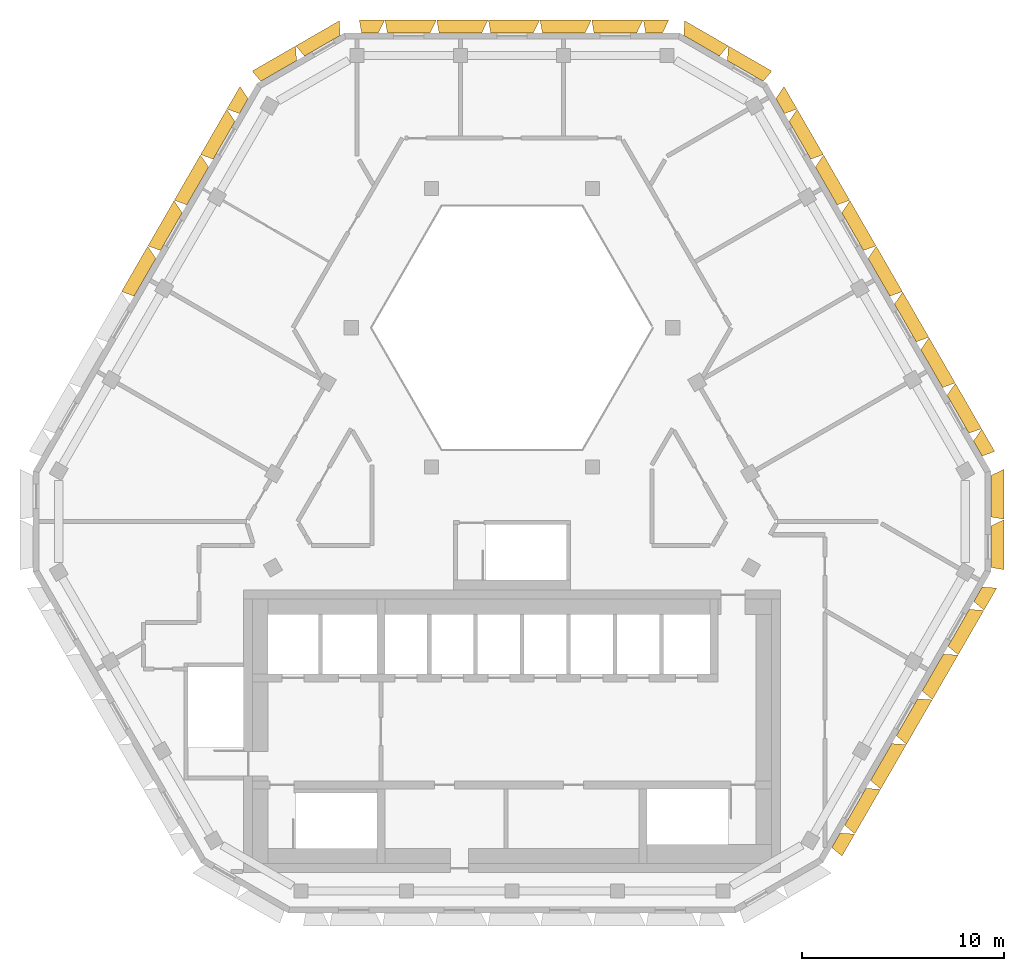
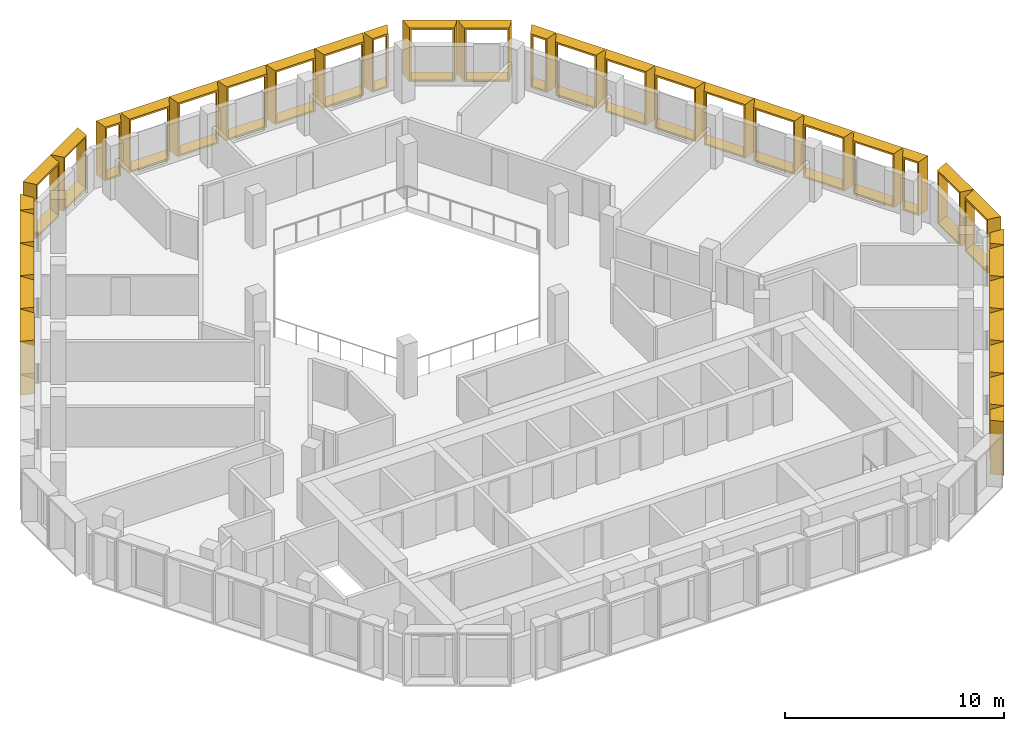
# One storey, part 7 of 7: 34 shading devices.
"""IFC4 building model written with IfcOpenShell, lengths in metres."""

from ifc_helpers import new_model, entity, si_unit, direction, frame, origin, place, context, subcontext, project, spatial, source, transform, mapped, material, type_object, type_shapes, element, save


model = new_model("IFC4")

# Units and contexts
model_context = context("Model", 3, precision=1e-05, world=origin(), true_north=direction((0.0, 1.0)))
body_context = subcontext(model_context, "Body", "Model", "MODEL_VIEW")
ifc_project = project(units=[si_unit("LENGTHUNIT", "METRE"), si_unit("AREAUNIT", "SQUARE_METRE"), si_unit("VOLUMEUNIT", "CUBIC_METRE"), si_unit("PLANEANGLEUNIT", "RADIAN"), si_unit("MASSUNIT", "GRAM", prefix="KILO")], contexts=[model_context])

# Site, building, storey
site_placement = place(None, origin())
site = spatial("IfcSite", under=ifc_project, at=site_placement, CompositionType="ELEMENT")
building_placement = place(site_placement, origin())
building = spatial("IfcBuilding", under=site, at=building_placement, Name="Beryl Residences", CompositionType="ELEMENT")
storey_placement = place(building_placement, frame((0.0, 0.0, 241.800048828125)))
storey = spatial("IfcBuildingStorey", under=building, at=storey_placement, Name="L75", CompositionType="ELEMENT", Elevation=241.800048828125)

# Shading devices
ifc_material_1 = material(Name="Aluminium pale anodised", Category="aluminium")
shading_device_type_1 = type_object("IfcShadingDeviceType", Name="FR128-65B OUTER SKIN frame 650 mm deep, splay 26/10 deg, 1280 x 3000 mm cell", PredefinedType="USERDEFINED", material=ifc_material_1)
cartesian_point_1 = entity("IfcCartesianPoint", [-0.4140625, 0.0])
cartesian_point_2 = entity("IfcCartesianPoint", [-0.324951171875, 0.10009765625])
cartesian_point_3 = entity("IfcCartesianPoint", [-0.73095703125, 0.0])
cartesian_point_4 = entity("IfcCartesianPoint", [-0.64208984375, 0.10009765625])
shared_shape_1 = source(origin(), body_context, "Body", "SweptSolid", [
    entity("IfcExtrudedAreaSolidTapered", entity("IfcArbitraryProfileDefWithVoids", "AREA", None, entity("IfcPolyline", [cartesian_point_1, entity("IfcCartesianPoint", [0.4140625, 0.0]), entity("IfcCartesianPoint", [0.4140625, 3.0]), entity("IfcCartesianPoint", [-0.4140625, 3.0]), cartesian_point_1]), [entity("IfcPolyline", [cartesian_point_2, entity("IfcCartesianPoint", [0.332763671875, 0.10009765625]), entity("IfcCartesianPoint", [0.332763671875, 2.89990234375]), entity("IfcCartesianPoint", [-0.324951171875, 2.89990234375]), cartesian_point_2])]), entity("IfcAxis2Placement3D", entity("IfcCartesianPoint", [0.0, 0.0, 0.0]), entity("IfcDirection", [0.0, 1.0, 0.0]), entity("IfcDirection", [-1.0, 0.0, 0.0])), entity("IfcDirection", [0.0, 0.0, 1.0]), 0.64990234375, entity("IfcArbitraryProfileDefWithVoids", "AREA", None, entity("IfcPolyline", [cartesian_point_3, entity("IfcCartesianPoint", [0.528564453125, 0.0]), entity("IfcCartesianPoint", [0.528564453125, 3.0]), entity("IfcCartesianPoint", [-0.73095703125, 3.0]), cartesian_point_3]), [entity("IfcPolyline", [cartesian_point_4, entity("IfcCartesianPoint", [0.447265625, 0.10009765625]), entity("IfcCartesianPoint", [0.447265625, 2.89990234375]), entity("IfcCartesianPoint", [-0.64208984375, 2.89990234375]), cartesian_point_4])])),
])
type_shapes(shading_device_type_1, [shared_shape_1])
for number, where, z_axis, x_axis, name in (
    (1, (7.0390625, 22.60009765625, 0.0), (0.0, 0.0, 1.0), (1.0, 0.0, 0.0), "FR128-65B frame L75 N 1"),
    (2, (-7.0380859375, 22.60009765625, 0.0), (0.0, 0.0, 1.0), (1.0, 0.0, 0.0), "FR128-65B frame L75 N 7"),
):
    element("IfcShadingDevice", number, at=place(storey_placement, frame(where, z_axis=z_axis, x_axis=x_axis)), inside=storey, type_object=shading_device_type_1, Name=name, ObjectType="OUTER SKIN", PredefinedType="USERDEFINED", context=body_context, shape_type="MappedRepresentation", body=[
        mapped(shared_shape_1, transform((0.0, 0.0, 0.0))),
    ])
ifc_material_2 = material(Name="Aluminium pale anodised", Category="aluminium")
shading_device_type_2 = type_object("IfcShadingDeviceType", Name="FR128-65C OUTER SKIN frame 650 mm deep, splay 10/26 deg, 1280 x 3000 mm cell", PredefinedType="USERDEFINED", material=ifc_material_2)
cartesian_point_5 = entity("IfcCartesianPoint", [-0.4140625, 0.0])
cartesian_point_6 = entity("IfcCartesianPoint", [-0.332763671875, 0.10009765625])
cartesian_point_7 = entity("IfcCartesianPoint", [-0.528564453125, 0.0])
cartesian_point_8 = entity("IfcCartesianPoint", [-0.447265625, 0.10009765625])
shared_shape_2 = source(origin(), body_context, "Body", "SweptSolid", [
    entity("IfcExtrudedAreaSolidTapered", entity("IfcArbitraryProfileDefWithVoids", "AREA", None, entity("IfcPolyline", [cartesian_point_5, entity("IfcCartesianPoint", [0.4140625, 0.0]), entity("IfcCartesianPoint", [0.4140625, 3.0]), entity("IfcCartesianPoint", [-0.4140625, 3.0]), cartesian_point_5]), [entity("IfcPolyline", [cartesian_point_6, entity("IfcCartesianPoint", [0.324951171875, 0.10009765625]), entity("IfcCartesianPoint", [0.324951171875, 2.89990234375]), entity("IfcCartesianPoint", [-0.332763671875, 2.89990234375]), cartesian_point_6])]), entity("IfcAxis2Placement3D", entity("IfcCartesianPoint", [0.0, 0.0, 0.0]), entity("IfcDirection", [0.0, 1.0, 0.0]), entity("IfcDirection", [-1.0, 0.0, 0.0])), entity("IfcDirection", [0.0, 0.0, 1.0]), 0.64990234375, entity("IfcArbitraryProfileDefWithVoids", "AREA", None, entity("IfcPolyline", [cartesian_point_7, entity("IfcCartesianPoint", [0.73095703125, 0.0]), entity("IfcCartesianPoint", [0.73095703125, 3.0]), entity("IfcCartesianPoint", [-0.528564453125, 3.0]), cartesian_point_7]), [entity("IfcPolyline", [cartesian_point_8, entity("IfcCartesianPoint", [0.64208984375, 0.10009765625]), entity("IfcCartesianPoint", [0.64208984375, 2.89990234375]), entity("IfcCartesianPoint", [-0.447265625, 2.89990234375]), cartesian_point_8])])),
])
type_shapes(shading_device_type_2, [shared_shape_2])
for number, where, z_axis, x_axis, name in (
    (3, (16.052978515625, -17.39599609375, 0.0), (0.0, 0.0, 1.0), (-0.5, -0.866025403784, 0.0), "FR128-65C frame L75 SE 1"),
    (4, (23.091064453125, -5.205078125, 0.0), (0.0, 0.0, 1.0), (-0.5, -0.866025403784, 0.0), "FR128-65C frame L75 SE 7"),
):
    element("IfcShadingDevice", number, at=place(storey_placement, frame(where, z_axis=z_axis, x_axis=x_axis)), inside=storey, type_object=shading_device_type_2, Name=name, ObjectType="OUTER SKIN", PredefinedType="USERDEFINED", context=body_context, shape_type="MappedRepresentation", body=[
        mapped(shared_shape_2, transform((0.0, 0.0, 0.0))),
    ])
ifc_material_3 = material(Name="Aluminium pale anodised", Category="aluminium")
shading_device_type_3 = type_object("IfcShadingDeviceType", Name="FR131-65B OUTER SKIN frame 650 mm deep, splay 26/10 deg, 1310 x 3000 mm cell", PredefinedType="USERDEFINED", material=ifc_material_3)
cartesian_point_9 = entity("IfcCartesianPoint", [-0.428955078125, 0.0])
cartesian_point_10 = entity("IfcCartesianPoint", [-0.340087890625, 0.10009765625])
cartesian_point_11 = entity("IfcCartesianPoint", [-0.74609375, 0.0])
cartesian_point_12 = entity("IfcCartesianPoint", [-0.656982421875, 0.10009765625])
shared_shape_3 = source(origin(), body_context, "Body", "SweptSolid", [
    entity("IfcExtrudedAreaSolidTapered", entity("IfcArbitraryProfileDefWithVoids", "AREA", None, entity("IfcPolyline", [cartesian_point_9, entity("IfcCartesianPoint", [0.428955078125, 0.0]), entity("IfcCartesianPoint", [0.428955078125, 3.0]), entity("IfcCartesianPoint", [-0.428955078125, 3.0]), cartesian_point_9]), [entity("IfcPolyline", [cartesian_point_10, entity("IfcCartesianPoint", [0.34765625, 0.10009765625]), entity("IfcCartesianPoint", [0.34765625, 2.89990234375]), entity("IfcCartesianPoint", [-0.340087890625, 2.89990234375]), cartesian_point_10])]), entity("IfcAxis2Placement3D", entity("IfcCartesianPoint", [0.0, 0.0, 0.0]), entity("IfcDirection", [0.0, 1.0, 0.0]), entity("IfcDirection", [-1.0, 0.0, 0.0])), entity("IfcDirection", [0.0, 0.0, 1.0]), 0.64990234375, entity("IfcArbitraryProfileDefWithVoids", "AREA", None, entity("IfcPolyline", [cartesian_point_11, entity("IfcCartesianPoint", [0.543701171875, 0.0]), entity("IfcCartesianPoint", [0.543701171875, 3.0]), entity("IfcCartesianPoint", [-0.74609375, 3.0]), cartesian_point_11]), [entity("IfcPolyline", [cartesian_point_12, entity("IfcCartesianPoint", [0.46240234375, 0.10009765625]), entity("IfcCartesianPoint", [0.46240234375, 2.89990234375]), entity("IfcCartesianPoint", [-0.656982421875, 2.89990234375]), cartesian_point_12])])),
])
type_shapes(shading_device_type_3, [shared_shape_3])
shading_device_placement = place(storey_placement, frame((-13.2880859375, 18.98388671875, 0.0), z_axis=(0.0, 0.0, 1.0), x_axis=(0.5, 0.866025403784, 0.0)))
element("IfcShadingDevice", 5, at=shading_device_placement, inside=storey, type_object=shading_device_type_3, Name="FR131-65B frame L75 NW 1", ObjectType="OUTER SKIN", PredefinedType="USERDEFINED", context=body_context, shape_type="MappedRepresentation", body=[
    mapped(shared_shape_3, transform((0.0, 0.0, 0.0))),
])
ifc_material_4 = material(Name="Aluminium pale anodised", Category="aluminium")
shading_device_type_4 = type_object("IfcShadingDeviceType", Name="FR131-65C OUTER SKIN frame 650 mm deep, splay 10/26 deg, 1310 x 3000 mm cell", PredefinedType="USERDEFINED", material=ifc_material_4)
cartesian_point_13 = entity("IfcCartesianPoint", [-0.428955078125, 0.0])
cartesian_point_14 = entity("IfcCartesianPoint", [-0.34765625, 0.10009765625])
cartesian_point_15 = entity("IfcCartesianPoint", [-0.543701171875, 0.0])
cartesian_point_16 = entity("IfcCartesianPoint", [-0.46240234375, 0.10009765625])
shared_shape_4 = source(origin(), body_context, "Body", "SweptSolid", [
    entity("IfcExtrudedAreaSolidTapered", entity("IfcArbitraryProfileDefWithVoids", "AREA", None, entity("IfcPolyline", [cartesian_point_13, entity("IfcCartesianPoint", [0.428955078125, 0.0]), entity("IfcCartesianPoint", [0.428955078125, 3.0]), entity("IfcCartesianPoint", [-0.428955078125, 3.0]), cartesian_point_13]), [entity("IfcPolyline", [cartesian_point_14, entity("IfcCartesianPoint", [0.340087890625, 0.10009765625]), entity("IfcCartesianPoint", [0.340087890625, 2.89990234375]), entity("IfcCartesianPoint", [-0.34765625, 2.89990234375]), cartesian_point_14])]), entity("IfcAxis2Placement3D", entity("IfcCartesianPoint", [0.0, 0.0, 0.0]), entity("IfcDirection", [0.0, 1.0, 0.0]), entity("IfcDirection", [-1.0, 0.0, 0.0])), entity("IfcDirection", [0.0, 0.0, 1.0]), 0.64990234375, entity("IfcArbitraryProfileDefWithVoids", "AREA", None, entity("IfcPolyline", [cartesian_point_15, entity("IfcCartesianPoint", [0.74609375, 0.0]), entity("IfcCartesianPoint", [0.74609375, 3.0]), entity("IfcCartesianPoint", [-0.543701171875, 3.0]), cartesian_point_15]), [entity("IfcPolyline", [cartesian_point_16, entity("IfcCartesianPoint", [0.656982421875, 0.10009765625]), entity("IfcCartesianPoint", [0.656982421875, 2.89990234375]), entity("IfcCartesianPoint", [-0.46240234375, 2.89990234375]), cartesian_point_16])])),
])
type_shapes(shading_device_type_4, [shared_shape_4])
for number, where, z_axis, x_axis, name in (
    (6, (23.083984375, 2.01611328125, 0.0), (0.0, 0.0, 1.0), (0.5, -0.866025403784, 0.0), "FR131-65C frame L75 NE 1"),
    (7, (13.2880859375, 18.98388671875, 0.0), (0.0, 0.0, 1.0), (0.5, -0.866025403784, 0.0), "FR131-65C frame L75 NE 9"),
):
    element("IfcShadingDevice", number, at=place(storey_placement, frame(where, z_axis=z_axis, x_axis=x_axis)), inside=storey, type_object=shading_device_type_4, Name=name, ObjectType="OUTER SKIN", PredefinedType="USERDEFINED", context=body_context, shape_type="MappedRepresentation", body=[
        mapped(shared_shape_4, transform((0.0, 0.0, 0.0))),
    ])
ifc_material_5 = material(Name="Aluminium pale anodised", Category="aluminium")
shading_device_type_5 = type_object("IfcShadingDeviceType", Name="FR250-65B OUTER SKIN frame 650 mm deep, splay 26/10 deg, 2500 x 3000 mm cell", PredefinedType="USERDEFINED", material=ifc_material_5)
cartesian_point_17 = entity("IfcCartesianPoint", [-1.02392578125, 0.0])
cartesian_point_18 = entity("IfcCartesianPoint", [-0.93505859375, 0.10009765625])
cartesian_point_19 = entity("IfcCartesianPoint", [-1.341064453125, 0.0])
cartesian_point_20 = entity("IfcCartesianPoint", [-1.251953125, 0.10009765625])
shared_shape_5 = source(origin(), body_context, "Body", "SweptSolid", [
    entity("IfcExtrudedAreaSolidTapered", entity("IfcArbitraryProfileDefWithVoids", "AREA", None, entity("IfcPolyline", [cartesian_point_17, entity("IfcCartesianPoint", [1.02392578125, 0.0]), entity("IfcCartesianPoint", [1.02392578125, 3.0]), entity("IfcCartesianPoint", [-1.02392578125, 3.0]), cartesian_point_17]), [entity("IfcPolyline", [cartesian_point_18, entity("IfcCartesianPoint", [0.94287109375, 0.10009765625]), entity("IfcCartesianPoint", [0.94287109375, 2.89990234375]), entity("IfcCartesianPoint", [-0.93505859375, 2.89990234375]), cartesian_point_18])]), entity("IfcAxis2Placement3D", entity("IfcCartesianPoint", [0.0, 0.0, 0.0]), entity("IfcDirection", [0.0, 1.0, 0.0]), entity("IfcDirection", [-1.0, 0.0, 0.0])), entity("IfcDirection", [0.0, 0.0, 1.0]), 0.64990234375, entity("IfcArbitraryProfileDefWithVoids", "AREA", None, entity("IfcPolyline", [cartesian_point_19, entity("IfcCartesianPoint", [1.138671875, 0.0]), entity("IfcCartesianPoint", [1.138671875, 3.0]), entity("IfcCartesianPoint", [-1.341064453125, 3.0]), cartesian_point_19]), [entity("IfcPolyline", [cartesian_point_20, entity("IfcCartesianPoint", [1.057373046875, 0.10009765625]), entity("IfcCartesianPoint", [1.057373046875, 2.89990234375]), entity("IfcCartesianPoint", [-1.251953125, 2.89990234375]), cartesian_point_20])])),
])
type_shapes(shading_device_type_5, [shared_shape_5])
for number, where, z_axis, x_axis, name in (
    (8, (-9.39599609375, 21.97509765625, 0.0), (0.0, 0.0, 1.0), (0.866025403784, 0.5, 0.0), "FR250-65B frame L75 N-NW 1"),
    (9, (-11.56103515625, 20.72509765625, 0.0), (0.0, 0.0, 1.0), (0.866025403784, 0.5, 0.0), "FR250-65B frame L75 N-NW 2"),
):
    element("IfcShadingDevice", number, at=place(storey_placement, frame(where, z_axis=z_axis, x_axis=x_axis)), inside=storey, type_object=shading_device_type_5, Name=name, ObjectType="OUTER SKIN", PredefinedType="USERDEFINED", context=body_context, shape_type="MappedRepresentation", body=[
        mapped(shared_shape_5, transform((0.0, 0.0, 0.0))),
    ])
ifc_material_6 = material(Name="Aluminium pale anodised", Category="aluminium")
shading_device_type_6 = type_object("IfcShadingDeviceType", Name="FR250-65C OUTER SKIN frame 650 mm deep, splay 10/26 deg, 2500 x 3000 mm cell", PredefinedType="USERDEFINED", material=ifc_material_6)
cartesian_point_21 = entity("IfcCartesianPoint", [-1.02392578125, 0.0])
cartesian_point_22 = entity("IfcCartesianPoint", [-0.94287109375, 0.10009765625])
cartesian_point_23 = entity("IfcCartesianPoint", [-1.138671875, 0.0])
cartesian_point_24 = entity("IfcCartesianPoint", [-1.057373046875, 0.10009765625])
shared_shape_6 = source(origin(), body_context, "Body", "SweptSolid", [
    entity("IfcExtrudedAreaSolidTapered", entity("IfcArbitraryProfileDefWithVoids", "AREA", None, entity("IfcPolyline", [cartesian_point_21, entity("IfcCartesianPoint", [1.02392578125, 0.0]), entity("IfcCartesianPoint", [1.02392578125, 3.0]), entity("IfcCartesianPoint", [-1.02392578125, 3.0]), cartesian_point_21]), [entity("IfcPolyline", [cartesian_point_22, entity("IfcCartesianPoint", [0.93505859375, 0.10009765625]), entity("IfcCartesianPoint", [0.93505859375, 2.89990234375]), entity("IfcCartesianPoint", [-0.94287109375, 2.89990234375]), cartesian_point_22])]), entity("IfcAxis2Placement3D", entity("IfcCartesianPoint", [0.0, 0.0, 0.0]), entity("IfcDirection", [0.0, 1.0, 0.0]), entity("IfcDirection", [-1.0, 0.0, 0.0])), entity("IfcDirection", [0.0, 0.0, 1.0]), 0.64990234375, entity("IfcArbitraryProfileDefWithVoids", "AREA", None, entity("IfcPolyline", [cartesian_point_23, entity("IfcCartesianPoint", [1.341064453125, 0.0]), entity("IfcCartesianPoint", [1.341064453125, 3.0]), entity("IfcCartesianPoint", [-1.138671875, 3.0]), cartesian_point_23]), [entity("IfcPolyline", [cartesian_point_24, entity("IfcCartesianPoint", [1.251953125, 0.10009765625]), entity("IfcCartesianPoint", [1.251953125, 2.89990234375]), entity("IfcCartesianPoint", [-1.057373046875, 2.89990234375]), cartesian_point_24])])),
])
type_shapes(shading_device_type_6, [shared_shape_6])
for number, where, z_axis, x_axis, name in (
    (10, (23.72900390625, -2.85009765625, 0.0), (0.0, 0.0, 1.0), (0.0, -1.0, 0.0), "FR250-65C frame L75 SE-NE 1"),
    (11, (23.72900390625, -0.35009765625, 0.0), (0.0, 0.0, 1.0), (0.0, -1.0, 0.0), "FR250-65C frame L75 SE-NE 2"),
    (12, (11.56103515625, 20.72509765625, 0.0), (0.0, 0.0, 1.0), (0.866025403784, -0.5, 0.0), "FR250-65C frame L75 NE-N 1"),
    (13, (9.39599609375, 21.97509765625, 0.0), (0.0, 0.0, 1.0), (0.866025403784, -0.5, 0.0), "FR250-65C frame L75 NE-N 2"),
):
    element("IfcShadingDevice", number, at=place(storey_placement, frame(where, z_axis=z_axis, x_axis=x_axis)), inside=storey, type_object=shading_device_type_6, Name=name, ObjectType="OUTER SKIN", PredefinedType="USERDEFINED", context=body_context, shape_type="MappedRepresentation", body=[
        mapped(shared_shape_6, transform((0.0, 0.0, 0.0))),
    ])
ifc_material_7 = material(Name="Aluminium pale anodised", Category="aluminium")
shading_device_type_7 = type_object("IfcShadingDeviceType", Name="FR256-65B OUTER SKIN frame 650 mm deep, splay 26/10 deg, 2560 x 3000 mm cell", PredefinedType="USERDEFINED", material=ifc_material_7)
cartesian_point_25 = entity("IfcCartesianPoint", [-1.053955078125, 0.0])
cartesian_point_26 = entity("IfcCartesianPoint", [-0.965087890625, 0.10009765625])
cartesian_point_27 = entity("IfcCartesianPoint", [-1.37109375, 0.0])
cartesian_point_28 = entity("IfcCartesianPoint", [-1.281982421875, 0.10009765625])
shared_shape_7 = source(origin(), body_context, "Body", "SweptSolid", [
    entity("IfcExtrudedAreaSolidTapered", entity("IfcArbitraryProfileDefWithVoids", "AREA", None, entity("IfcPolyline", [cartesian_point_25, entity("IfcCartesianPoint", [1.053955078125, 0.0]), entity("IfcCartesianPoint", [1.053955078125, 3.0]), entity("IfcCartesianPoint", [-1.053955078125, 3.0]), cartesian_point_25]), [entity("IfcPolyline", [cartesian_point_26, entity("IfcCartesianPoint", [0.97265625, 0.10009765625]), entity("IfcCartesianPoint", [0.97265625, 2.89990234375]), entity("IfcCartesianPoint", [-0.965087890625, 2.89990234375]), cartesian_point_26])]), entity("IfcAxis2Placement3D", entity("IfcCartesianPoint", [0.0, 0.0, 0.0]), entity("IfcDirection", [0.0, 1.0, 0.0]), entity("IfcDirection", [-1.0, 0.0, 0.0])), entity("IfcDirection", [0.0, 0.0, 1.0]), 0.64990234375, entity("IfcArbitraryProfileDefWithVoids", "AREA", None, entity("IfcPolyline", [cartesian_point_27, entity("IfcCartesianPoint", [1.168701171875, 0.0]), entity("IfcCartesianPoint", [1.168701171875, 3.0]), entity("IfcCartesianPoint", [-1.37109375, 3.0]), cartesian_point_27]), [entity("IfcPolyline", [cartesian_point_28, entity("IfcCartesianPoint", [1.08740234375, 0.10009765625]), entity("IfcCartesianPoint", [1.08740234375, 2.89990234375]), entity("IfcCartesianPoint", [-1.281982421875, 2.89990234375]), cartesian_point_28])])),
])
type_shapes(shading_device_type_7, [shared_shape_7])
for number, where, z_axis, x_axis, name in (
    (14, (5.1201171875, 22.60009765625, 0.0), (0.0, 0.0, 1.0), (1.0, 0.0, 0.0), "FR256-65B frame L75 N 2"),
    (15, (2.56005859375, 22.60009765625, 0.0), (0.0, 0.0, 1.0), (1.0, 0.0, 0.0), "FR256-65B frame L75 N 3"),
    (16, (0.0, 22.60009765625, 0.0), (0.0, 0.0, 1.0), (1.0, 0.0, 0.0), "FR256-65B frame L75 N 4"),
    (17, (-2.55908203125, 22.60009765625, 0.0), (0.0, 0.0, 1.0), (1.0, 0.0, 0.0), "FR256-65B frame L75 N 5"),
    (18, (-5.118896484375, 22.60009765625, 0.0), (0.0, 0.0, 1.0), (1.0, 0.0, 0.0), "FR256-65B frame L75 N 6"),
):
    element("IfcShadingDevice", number, at=place(storey_placement, frame(where, z_axis=z_axis, x_axis=x_axis)), inside=storey, type_object=shading_device_type_7, Name=name, ObjectType="OUTER SKIN", PredefinedType="USERDEFINED", context=body_context, shape_type="MappedRepresentation", body=[
        mapped(shared_shape_7, transform((0.0, 0.0, 0.0))),
    ])
ifc_material_8 = material(Name="Aluminium pale anodised", Category="aluminium")
shading_device_type_8 = type_object("IfcShadingDeviceType", Name="FR256-65C OUTER SKIN frame 650 mm deep, splay 10/26 deg, 2560 x 3000 mm cell", PredefinedType="USERDEFINED", material=ifc_material_8)
cartesian_point_29 = entity("IfcCartesianPoint", [-1.053955078125, 0.0])
cartesian_point_30 = entity("IfcCartesianPoint", [-0.97265625, 0.10009765625])
cartesian_point_31 = entity("IfcCartesianPoint", [-1.168701171875, 0.0])
cartesian_point_32 = entity("IfcCartesianPoint", [-1.08740234375, 0.10009765625])
shared_shape_8 = source(origin(), body_context, "Body", "SweptSolid", [
    entity("IfcExtrudedAreaSolidTapered", entity("IfcArbitraryProfileDefWithVoids", "AREA", None, entity("IfcPolyline", [cartesian_point_29, entity("IfcCartesianPoint", [1.053955078125, 0.0]), entity("IfcCartesianPoint", [1.053955078125, 3.0]), entity("IfcCartesianPoint", [-1.053955078125, 3.0]), cartesian_point_29]), [entity("IfcPolyline", [cartesian_point_30, entity("IfcCartesianPoint", [0.965087890625, 0.10009765625]), entity("IfcCartesianPoint", [0.965087890625, 2.89990234375]), entity("IfcCartesianPoint", [-0.97265625, 2.89990234375]), cartesian_point_30])]), entity("IfcAxis2Placement3D", entity("IfcCartesianPoint", [0.0, 0.0, 0.0]), entity("IfcDirection", [0.0, 1.0, 0.0]), entity("IfcDirection", [-1.0, 0.0, 0.0])), entity("IfcDirection", [0.0, 0.0, 1.0]), 0.64990234375, entity("IfcArbitraryProfileDefWithVoids", "AREA", None, entity("IfcPolyline", [cartesian_point_31, entity("IfcCartesianPoint", [1.37109375, 0.0]), entity("IfcCartesianPoint", [1.37109375, 3.0]), entity("IfcCartesianPoint", [-1.168701171875, 3.0]), cartesian_point_31]), [entity("IfcPolyline", [cartesian_point_32, entity("IfcCartesianPoint", [1.281982421875, 0.10009765625]), entity("IfcCartesianPoint", [1.281982421875, 2.89990234375]), entity("IfcCartesianPoint", [-1.08740234375, 2.89990234375]), cartesian_point_32])])),
])
type_shapes(shading_device_type_8, [shared_shape_8])
for number, where, z_axis, x_axis, name in (
    (19, (17.011962890625, -15.73388671875, 0.0), (0.0, 0.0, 1.0), (-0.5, -0.866025403784, 0.0), "FR256-65C frame L75 SE 2"),
    (20, (18.2919921875, -13.51708984375, 0.0), (0.0, 0.0, 1.0), (-0.5, -0.866025403784, 0.0), "FR256-65C frame L75 SE 3"),
    (21, (19.572021484375, -11.300048828125, 0.0), (0.0, 0.0, 1.0), (-0.5, -0.866025403784, 0.0), "FR256-65C frame L75 SE 4"),
    (22, (20.85107421875, -9.083984375, 0.0), (0.0, 0.0, 1.0), (-0.5, -0.866025403784, 0.0), "FR256-65C frame L75 SE 5"),
    (23, (22.131103515625, -6.866943359375, 0.0), (0.0, 0.0, 1.0), (-0.5, -0.866025403784, 0.0), "FR256-65C frame L75 SE 6"),
):
    element("IfcShadingDevice", number, at=place(storey_placement, frame(where, z_axis=z_axis, x_axis=x_axis)), inside=storey, type_object=shading_device_type_8, Name=name, ObjectType="OUTER SKIN", PredefinedType="USERDEFINED", context=body_context, shape_type="MappedRepresentation", body=[
        mapped(shared_shape_8, transform((0.0, 0.0, 0.0))),
    ])
ifc_material_9 = material(Name="Aluminium pale anodised", Category="aluminium")
shading_device_type_9 = type_object("IfcShadingDeviceType", Name="FR261-65B OUTER SKIN frame 650 mm deep, splay 26/10 deg, 2610 x 3000 mm cell", PredefinedType="USERDEFINED", material=ifc_material_9)
cartesian_point_33 = entity("IfcCartesianPoint", [-1.0791015625, 0.0])
cartesian_point_34 = entity("IfcCartesianPoint", [-0.989990234375, 0.10009765625])
cartesian_point_35 = entity("IfcCartesianPoint", [-1.39599609375, 0.0])
cartesian_point_36 = entity("IfcCartesianPoint", [-1.30712890625, 0.10009765625])
shared_shape_9 = source(origin(), body_context, "Body", "SweptSolid", [
    entity("IfcExtrudedAreaSolidTapered", entity("IfcArbitraryProfileDefWithVoids", "AREA", None, entity("IfcPolyline", [cartesian_point_33, entity("IfcCartesianPoint", [1.0791015625, 0.0]), entity("IfcCartesianPoint", [1.0791015625, 3.0]), entity("IfcCartesianPoint", [-1.0791015625, 3.0]), cartesian_point_33]), [entity("IfcPolyline", [cartesian_point_34, entity("IfcCartesianPoint", [0.997802734375, 0.10009765625]), entity("IfcCartesianPoint", [0.997802734375, 2.89990234375]), entity("IfcCartesianPoint", [-0.989990234375, 2.89990234375]), cartesian_point_34])]), entity("IfcAxis2Placement3D", entity("IfcCartesianPoint", [0.0, 0.0, 0.0]), entity("IfcDirection", [0.0, 1.0, 0.0]), entity("IfcDirection", [-1.0, 0.0, 0.0])), entity("IfcDirection", [0.0, 0.0, 1.0]), 0.64990234375, entity("IfcArbitraryProfileDefWithVoids", "AREA", None, entity("IfcPolyline", [cartesian_point_35, entity("IfcCartesianPoint", [1.193603515625, 0.0]), entity("IfcCartesianPoint", [1.193603515625, 3.0]), entity("IfcCartesianPoint", [-1.39599609375, 3.0]), cartesian_point_35]), [entity("IfcPolyline", [cartesian_point_36, entity("IfcCartesianPoint", [1.1123046875, 0.10009765625]), entity("IfcCartesianPoint", [1.1123046875, 2.89990234375]), entity("IfcCartesianPoint", [-1.30712890625, 2.89990234375]), cartesian_point_36])])),
])
type_shapes(shading_device_type_9, [shared_shape_9])
for number, where, z_axis, x_axis, name in (
    (24, (-14.26708984375, 17.2880859375, 0.0), (0.0, 0.0, 1.0), (0.5, 0.866025403784, 0.0), "FR261-65B frame L75 NW 2"),
    (25, (-15.573974609375, 15.02490234375, 0.0), (0.0, 0.0, 1.0), (0.5, 0.866025403784, 0.0), "FR261-65B frame L75 NW 3"),
    (26, (-16.8798828125, 12.762939453125, 0.0), (0.0, 0.0, 1.0), (0.5, 0.866025403784, 0.0), "FR261-65B frame L75 NW 4"),
    (27, (-18.18603515625, 10.5, 0.0), (0.0, 0.0, 1.0), (0.5, 0.866025403784, 0.0), "FR261-65B frame L75 NW 5"),
):
    element("IfcShadingDevice", number, at=place(storey_placement, frame(where, z_axis=z_axis, x_axis=x_axis)), inside=storey, type_object=shading_device_type_9, Name=name, ObjectType="OUTER SKIN", PredefinedType="USERDEFINED", context=body_context, shape_type="MappedRepresentation", body=[
        mapped(shared_shape_9, transform((0.0, 0.0, 0.0))),
    ])
ifc_material_10 = material(Name="Aluminium pale anodised", Category="aluminium")
shading_device_type_10 = type_object("IfcShadingDeviceType", Name="FR261-65C OUTER SKIN frame 650 mm deep, splay 10/26 deg, 2610 x 3000 mm cell", PredefinedType="USERDEFINED", material=ifc_material_10)
cartesian_point_37 = entity("IfcCartesianPoint", [-1.0791015625, 0.0])
cartesian_point_38 = entity("IfcCartesianPoint", [-0.997802734375, 0.10009765625])
cartesian_point_39 = entity("IfcCartesianPoint", [-1.193603515625, 0.0])
cartesian_point_40 = entity("IfcCartesianPoint", [-1.1123046875, 0.10009765625])
shared_shape_10 = source(origin(), body_context, "Body", "SweptSolid", [
    entity("IfcExtrudedAreaSolidTapered", entity("IfcArbitraryProfileDefWithVoids", "AREA", None, entity("IfcPolyline", [cartesian_point_37, entity("IfcCartesianPoint", [1.0791015625, 0.0]), entity("IfcCartesianPoint", [1.0791015625, 3.0]), entity("IfcCartesianPoint", [-1.0791015625, 3.0]), cartesian_point_37]), [entity("IfcPolyline", [cartesian_point_38, entity("IfcCartesianPoint", [0.989990234375, 0.10009765625]), entity("IfcCartesianPoint", [0.989990234375, 2.89990234375]), entity("IfcCartesianPoint", [-0.997802734375, 2.89990234375]), cartesian_point_38])]), entity("IfcAxis2Placement3D", entity("IfcCartesianPoint", [0.0, 0.0, 0.0]), entity("IfcDirection", [0.0, 1.0, 0.0]), entity("IfcDirection", [-1.0, 0.0, 0.0])), entity("IfcDirection", [0.0, 0.0, 1.0]), 0.64990234375, entity("IfcArbitraryProfileDefWithVoids", "AREA", None, entity("IfcPolyline", [cartesian_point_39, entity("IfcCartesianPoint", [1.39599609375, 0.0]), entity("IfcCartesianPoint", [1.39599609375, 3.0]), entity("IfcCartesianPoint", [-1.193603515625, 3.0]), cartesian_point_39]), [entity("IfcPolyline", [cartesian_point_40, entity("IfcCartesianPoint", [1.30712890625, 0.10009765625]), entity("IfcCartesianPoint", [1.30712890625, 2.89990234375]), entity("IfcCartesianPoint", [-1.1123046875, 2.89990234375]), cartesian_point_40])])),
])
type_shapes(shading_device_type_10, [shared_shape_10])
for number, where, z_axis, x_axis, name in (
    (28, (22.10498046875, 3.7119140625, 0.0), (0.0, 0.0, 1.0), (0.5, -0.866025403784, 0.0), "FR261-65C frame L75 NE 2"),
    (29, (20.798095703125, 5.97509765625, 0.0), (0.0, 0.0, 1.0), (0.5, -0.866025403784, 0.0), "FR261-65C frame L75 NE 3"),
    (30, (19.491943359375, 8.237060546875, 0.0), (0.0, 0.0, 1.0), (0.5, -0.866025403784, 0.0), "FR261-65C frame L75 NE 4"),
    (31, (18.18603515625, 10.5, 0.0), (0.0, 0.0, 1.0), (0.5, -0.866025403784, 0.0), "FR261-65C frame L75 NE 5"),
    (32, (16.8798828125, 12.762939453125, 0.0), (0.0, 0.0, 1.0), (0.5, -0.866025403784, 0.0), "FR261-65C frame L75 NE 6"),
    (33, (15.573974609375, 15.02490234375, 0.0), (0.0, 0.0, 1.0), (0.5, -0.866025403784, 0.0), "FR261-65C frame L75 NE 7"),
    (34, (14.26708984375, 17.2880859375, 0.0), (0.0, 0.0, 1.0), (0.5, -0.866025403784, 0.0), "FR261-65C frame L75 NE 8"),
):
    element("IfcShadingDevice", number, at=place(storey_placement, frame(where, z_axis=z_axis, x_axis=x_axis)), inside=storey, type_object=shading_device_type_10, Name=name, ObjectType="OUTER SKIN", PredefinedType="USERDEFINED", context=body_context, shape_type="MappedRepresentation", body=[
        mapped(shared_shape_10, transform((0.0, 0.0, 0.0))),
    ])

save(model, "model.ifc")
